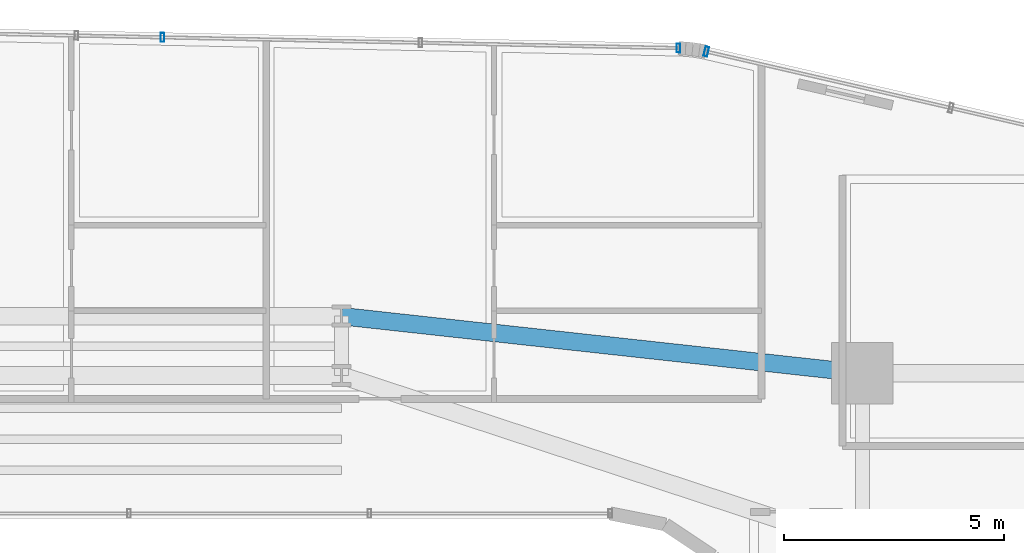
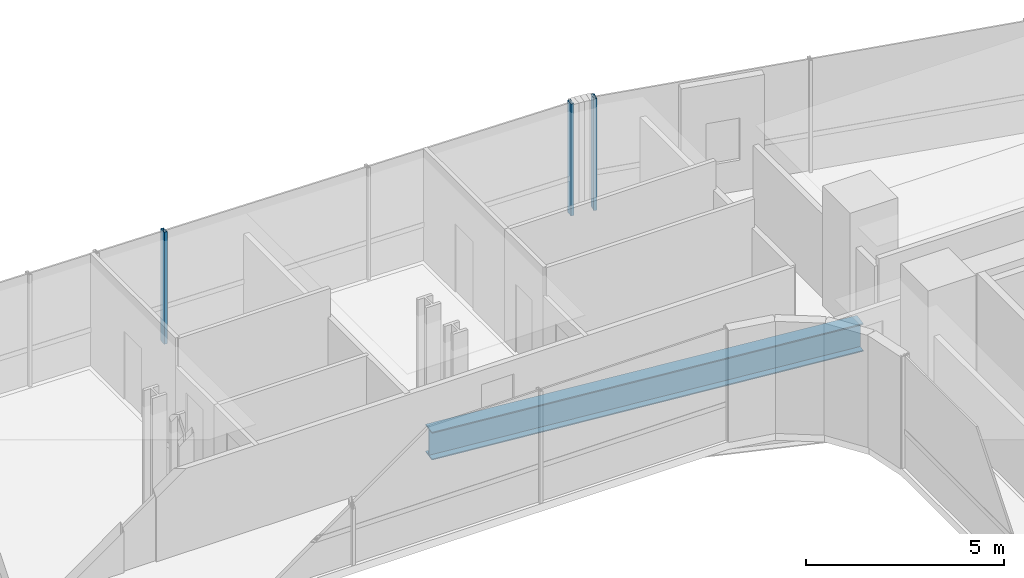
# One storey, part 22 of 41: 3 members, 1 beam, 2 elements without a shape of their own.
"""IFC4 building model written with IfcOpenShell, lengths in metres."""

from ifc_helpers import new_model, si_unit, direction, frame, origin, origin_2d, place, context, subcontext, project, spatial, hollow_rectangle, i_section, extrude, source, transform, mapped, material, material_profile, profile_set, type_object, element, aggregate, save


model = new_model("IFC4")

# Units and contexts
model_context = context("Model", 3, precision=1e-05, world=origin(), true_north=direction((0.0, 1.0)))
body_context = subcontext(model_context, "Body", "Model", "MODEL_VIEW")
ifc_project = project(units=[si_unit("LENGTHUNIT", "METRE"), si_unit("AREAUNIT", "SQUARE_METRE"), si_unit("VOLUMEUNIT", "CUBIC_METRE"), si_unit("PLANEANGLEUNIT", "RADIAN"), si_unit("MASSUNIT", "GRAM", prefix="KILO")], contexts=[model_context])

# Site, building, storey
site_placement = place(None, origin())
site = spatial("IfcSite", under=ifc_project, at=site_placement, CompositionType="ELEMENT")
building_placement = place(site_placement, origin())
building = spatial("IfcBuilding", under=site, at=building_placement, Name="Valdorenza Pilgrim Sanctuary Tower", CompositionType="ELEMENT")
storey_placement = place(building_placement, frame((0.0, 0.0, 59.300048828125)))
storey = spatial("IfcBuildingStorey", under=building, at=storey_placement, Name="L14", CompositionType="ELEMENT", Elevation=59.300048828125)

# Beam
ifc_material_1 = material(Name="Steel ASTM A992 Grade 50", Category="steel")
ifc_material_profile_1 = material_profile(ifc_material_1, i_section(OverallWidth=0.39990234375, OverallDepth=0.862060546875, WebThickness=0.019775390625, FlangeThickness=0.032470703125, at=origin_2d()), Name="W33X221")
ifc_profile_set_1 = profile_set([ifc_material_profile_1], Name="Steel ASTM A992 Grade 50")
beam_type = type_object("IfcBeamType", Name="STR-BM-GRD-W33", PredefinedType="BEAM", material=ifc_profile_set_1)
shared_shape_1 = source(origin(), body_context, "Body", "SweptSolid", [
    extrude(i_section(OverallWidth=0.39990234375, OverallDepth=0.862060546875, WebThickness=0.019775390625, FlangeThickness=0.032470703125, at=origin_2d()), origin(), (0.0, 0.0, 1.0), 11.921142578125),
])
beam_placement = place(storey_placement, frame((4.0, 14.800048828125, -0.671142578125), z_axis=(0.994035876607, -0.10905354656, 0.0), x_axis=(0.10905354656, 0.994035876607, 0.0)))
element("IfcBeam", 1, at=beam_placement, inside=storey, type_object=beam_type, Name="L14 Floor Girder KNK-G6", PredefinedType="BEAM", context=body_context, shape_type="MappedRepresentation", body=[
    mapped(shared_shape_1, transform((0.0, 0.0, 0.0), x_axis=(1.0, 0.0, 0.0), y_axis=(0.0, 1.0, 0.0), z_axis=(0.0, 0.0, 1.0), scale=1.0)),
])

# Curtain wall, members
ifc_material_2 = material(Name="Curtain-wall IGU glazing", Category="glass")
curtain_wall_type_1 = type_object("IfcCurtainWallType", Name="CW-SYS-02", PredefinedType="NOTDEFINED", material=ifc_material_2)
curtain_wall_1_placement = place(storey_placement, origin())
curtain_wall_1 = element("IfcCurtainWall", 2, at=curtain_wall_1_placement, inside=storey, type_object=curtain_wall_type_1, Name="L14 Curtain Wall CW-L14-1-11", PredefinedType="NOTDEFINED")
ifc_material_3 = material(Name="Anodised aluminium AW-6060", Category="aluminium")
ifc_material_profile_2 = material_profile(ifc_material_3, hollow_rectangle(XDim=0.0849609375, YDim=0.199951171875, WallThickness=0.0048828125, at=origin_2d()), Name="ALU-M 200x85x5")
ifc_profile_set_2 = profile_set([ifc_material_profile_2], Name="Anodised aluminium AW-6060")
member_type_1 = type_object("IfcMemberType", Name="CW-MUL-02", PredefinedType="MULLION", material=ifc_profile_set_2)
shared_shape_2 = source(origin(), body_context, "Body", "SweptSolid", [
    extrude(hollow_rectangle(XDim=0.0849609375, YDim=0.199951171875, WallThickness=0.0048828125, at=origin_2d()), origin(), (0.0, 0.0, 1.0), 3.4599609375),
])
member_1_placement = place(storey_placement, frame((-0.0712890625, 21.1416015625, 0.0), z_axis=(0.0, 0.0, 1.0), x_axis=(0.999783234613, -0.020820273474, 0.0)))
member_1 = element("IfcMember", 3, at=member_1_placement, type_object=member_type_1, Name="CW-L14-1-11 Mullion 3", PredefinedType="MULLION", context=body_context, shape_type="MappedRepresentation", body=[
    mapped(shared_shape_2, transform((0.0, 0.0, 0.0), x_axis=(1.0, 0.0, 0.0), y_axis=(0.0, 1.0, 0.0), z_axis=(0.0, 0.0, 1.0), scale=1.0)),
])
member_2_placement = place(storey_placement, frame((11.665771484375, 20.89697265625, 0.0), z_axis=(0.0, 0.0, 1.0), x_axis=(0.999783234613, -0.020820273474, 0.0)))
member_2 = element("IfcMember", 4, at=member_2_placement, type_object=member_type_1, Name="CW-L14-1-11 Mullion 5", PredefinedType="MULLION", context=body_context, shape_type="MappedRepresentation", body=[
    mapped(shared_shape_2, transform((0.0, 0.0, 0.0), x_axis=(1.0, 0.0, 0.0), y_axis=(0.0, 1.0, 0.0), z_axis=(0.0, 0.0, 1.0), scale=1.0)),
])
aggregate(curtain_wall_1, [member_1, member_2])

# Curtain wall, member
curtain_wall_type_2 = type_object("IfcCurtainWallType", Name="CW-SYS-03", PredefinedType="NOTDEFINED", material=ifc_material_2)
curtain_wall_2_placement = place(storey_placement, origin())
curtain_wall_2 = element("IfcCurtainWall", 5, at=curtain_wall_2_placement, inside=storey, type_object=curtain_wall_type_2, Name="L14 Curtain Wall CW-L14-1-16", PredefinedType="NOTDEFINED")
ifc_material_profile_3 = material_profile(ifc_material_3, hollow_rectangle(XDim=0.0849609375, YDim=0.219970703125, WallThickness=0.0048828125, at=origin_2d()), Name="ALU-M 220x85x5")
ifc_profile_set_3 = profile_set([ifc_material_profile_3], Name="Anodised aluminium AW-6060")
member_type_2 = type_object("IfcMemberType", Name="CW-MUL-03", PredefinedType="MULLION", material=ifc_profile_set_3)
shared_shape_3 = source(origin(), body_context, "Body", "SweptSolid", [
    extrude(hollow_rectangle(XDim=0.0849609375, YDim=0.219970703125, WallThickness=0.0048828125, at=origin_2d()), origin(), (0.0, 0.0, 1.0), 3.4599609375),
])
member_3_placement = place(storey_placement, frame((12.299072265625, 20.818115234375, 0.0), z_axis=(0.0, 0.0, 1.0), x_axis=(0.974389691758, -0.224866023659, 0.0)))
member_3 = element("IfcMember", 6, at=member_3_placement, type_object=member_type_2, Name="CW-L14-1-16 Mullion 1", PredefinedType="MULLION", context=body_context, shape_type="MappedRepresentation", body=[
    mapped(shared_shape_3, transform((0.0, 0.0, 0.0), x_axis=(1.0, 0.0, 0.0), y_axis=(0.0, 1.0, 0.0), z_axis=(0.0, 0.0, 1.0), scale=1.0)),
])
aggregate(curtain_wall_2, [member_3])

save(model, "model.ifc")
